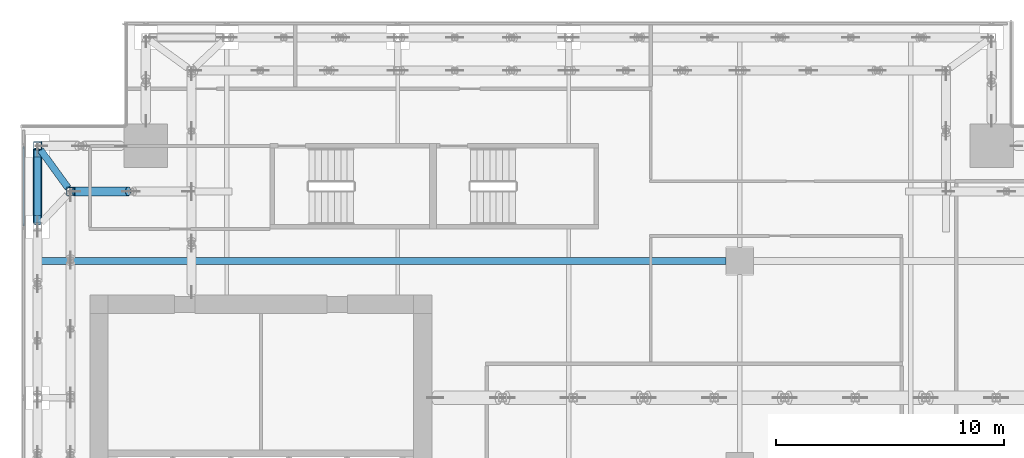
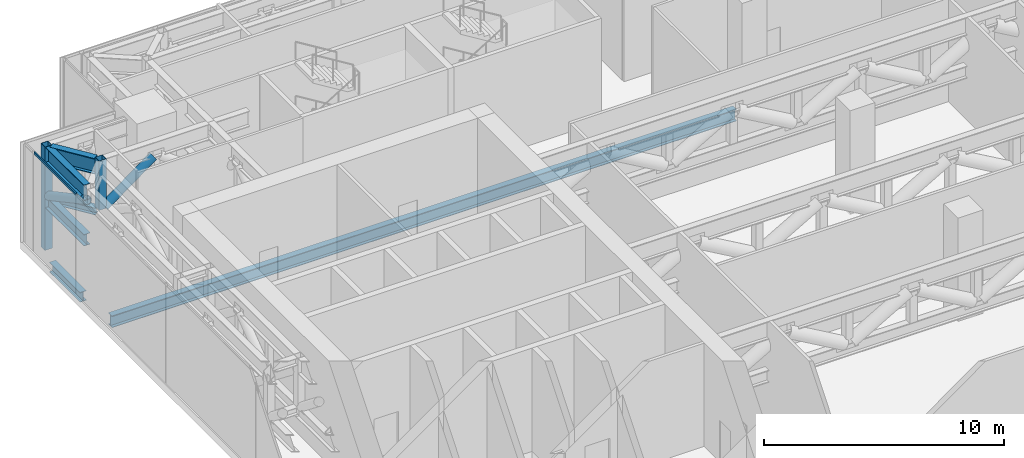
# One storey, part 18 of 36: 7 members, 4 beams, 1 element without a shape of its own.
"""IFC4 building model written with IfcOpenShell, lengths in metres."""

from ifc_helpers import new_model, si_unit, direction, frame, origin, origin_2d, place, context, subcontext, project, spatial, hollow_rectangle, hollow_circle, i_section, extrude, source, transform, mapped, material, material_profile, profile_set, type_object, element, aggregate, save


model = new_model("IFC4")

# Units and contexts
model_context = context("Model", 3, precision=1e-05, world=origin(), true_north=direction((0.0, 1.0)))
body_context = subcontext(model_context, "Body", "Model", "MODEL_VIEW")
ifc_project = project(units=[si_unit("LENGTHUNIT", "METRE"), si_unit("AREAUNIT", "SQUARE_METRE"), si_unit("VOLUMEUNIT", "CUBIC_METRE"), si_unit("PLANEANGLEUNIT", "RADIAN"), si_unit("MASSUNIT", "GRAM", prefix="KILO")], contexts=[model_context])

# Site, building, storey
site_placement = place(None, origin())
site = spatial("IfcSite", under=ifc_project, at=site_placement, CompositionType="ELEMENT")
building_placement = place(site_placement, origin())
building = spatial("IfcBuilding", under=site, at=building_placement, Name="Khomas Fold Tower", CompositionType="ELEMENT")
storey_placement = place(building_placement, frame((0.0, 0.0, 216.699951171875)))
storey = spatial("IfcBuildingStorey", under=building, at=storey_placement, Name="L48", CompositionType="ELEMENT", Elevation=216.699951171875)

# Beams
ifc_material_1 = material(Name="Steel S355", Category="steel")
ifc_material_profile_1 = material_profile(ifc_material_1, i_section(OverallWidth=0.300048828125, OverallDepth=0.5, WebThickness=0.014404296875, FlangeThickness=0.028076171875, at=origin_2d()), Name="HE 500 B")
ifc_profile_set_1 = profile_set([ifc_material_profile_1], Name="Steel S355")
beam_type_1 = type_object("IfcBeamType", Name="HE 500 B spandrel SB3", PredefinedType="SPANDREL", material=ifc_profile_set_1)
shared_shape_1 = source(origin(), body_context, "Body", "SweptSolid", [
    extrude(i_section(OverallWidth=0.300048828125, OverallDepth=0.5, WebThickness=0.014404296875, FlangeThickness=0.028076171875, at=origin_2d()), origin(), (0.0, 0.0, 1.0), 2.550048828125),
])
beam_1_placement = place(storey_placement, frame((3.699951171875, 42.5, -0.64990234375), z_axis=(0.0, 1.0, 0.0), x_axis=(-1.0, 0.0, 0.0)))
element("IfcBeam", 1, at=beam_1_placement, inside=storey, type_object=beam_type_1, Name="SB3", PredefinedType="SPANDREL", context=body_context, shape_type="MappedRepresentation", body=[
    mapped(shared_shape_1, transform((0.0, 0.0, 0.0))),
])
ifc_material_2 = material(Name="Steel S355", Category="steel")
ifc_material_profile_2 = material_profile(ifc_material_2, i_section(OverallWidth=0.300048828125, OverallDepth=0.60009765625, WebThickness=0.015380859375, FlangeThickness=0.030029296875, at=origin_2d()), Name="HE 600 B")
ifc_profile_set_2 = profile_set([ifc_material_profile_2], Name="Steel S355")
beam_type_2 = type_object("IfcBeamType", Name="HE 600 B beam GB5", PredefinedType="BEAM", material=ifc_profile_set_2)
shared_shape_2 = source(origin(), body_context, "Body", "SweptSolid", [
    extrude(i_section(OverallWidth=0.300048828125, OverallDepth=0.60009765625, WebThickness=0.015380859375, FlangeThickness=0.030029296875, at=origin_2d()), origin(), (0.0, 0.0, 1.0), 30.0498046875),
])
beam_2_placement = place(storey_placement, frame((3.85009765625, 40.5, -0.699951171875), z_axis=(1.0, 0.0, 0.0), x_axis=(0.0, 1.0, 0.0)))
element("IfcBeam", 2, at=beam_2_placement, inside=storey, type_object=beam_type_2, Name="GB5", PredefinedType="BEAM", context=body_context, shape_type="MappedRepresentation", body=[
    mapped(shared_shape_2, transform((0.0, 0.0, 0.0))),
])

# Members
ifc_material_3 = material(Name="Steel S355", Category="steel")
ifc_material_profile_3 = material_profile(ifc_material_3, i_section(OverallWidth=0.300048828125, OverallDepth=0.7900390625, WebThickness=0.014892578125, FlangeThickness=0.028076171875, at=origin_2d()), Name="HE 800 A")
ifc_profile_set_3 = profile_set([ifc_material_profile_3], Name="Steel S355")
member_type_1 = type_object("IfcMemberType", Name="BELT TRUSS 3 TOP CHORD SHORT HE 800 A", PredefinedType="CHORD", material=ifc_profile_set_3)
shared_shape_3 = source(origin(), body_context, "Body", "SweptSolid", [
    extrude(i_section(OverallWidth=0.300048828125, OverallDepth=0.7900390625, WebThickness=0.014892578125, FlangeThickness=0.028076171875, at=origin_2d()), origin(), (0.0, 0.0, 1.0), 3.199951171875),
])
member_1_placement = place(storey_placement, frame((3.699951171875, 45.375, 4.85498046875), z_axis=(0.0, -1.0, 0.0), x_axis=(1.0, 0.0, 0.0)))
element("IfcMember", 3, at=member_1_placement, inside=storey, type_object=member_type_1, Name="BT3-CTS", PredefinedType="CHORD", context=body_context, shape_type="MappedRepresentation", body=[
    mapped(shared_shape_3, transform((0.0, 0.0, 0.0))),
])
ifc_material_4 = material(Name="Steel S355", Category="steel")
ifc_material_profile_4 = material_profile(ifc_material_4, i_section(OverallWidth=0.300048828125, OverallDepth=0.590087890625, WebThickness=0.012939453125, FlangeThickness=0.02490234375, at=origin_2d()), Name="HE 600 A")
ifc_profile_set_4 = profile_set([ifc_material_profile_4], Name="Steel S355")
member_type_2 = type_object("IfcMemberType", Name="BELT TRUSS 3 BOTTOM CHORD SHORT HE 600 A", PredefinedType="CHORD", material=ifc_profile_set_4)
shared_shape_4 = source(origin(), body_context, "Body", "SweptSolid", [
    extrude(i_section(OverallWidth=0.300048828125, OverallDepth=0.590087890625, WebThickness=0.012939453125, FlangeThickness=0.02490234375, at=origin_2d()), origin(), (0.0, 0.0, 1.0), 3.199951171875),
])
member_2_placement = place(storey_placement, frame((3.699951171875, 45.375, 2.445068359375), z_axis=(0.0, -1.0, 0.0), x_axis=(1.0, 0.0, 0.0)))
element("IfcMember", 4, at=member_2_placement, inside=storey, type_object=member_type_2, Name="BT3-CBS", PredefinedType="CHORD", context=body_context, shape_type="MappedRepresentation", body=[
    mapped(shared_shape_4, transform((0.0, 0.0, 0.0))),
])
ifc_material_5 = material(Name="Steel S355", Category="steel")
ifc_material_profile_5 = material_profile(ifc_material_5, hollow_circle(Radius=0.203125, WallThickness=0.012451171875, at=origin_2d()), Name="CHS 406.4x12.5")
ifc_profile_set_5 = profile_set([ifc_material_profile_5], Name="Steel S355")
member_type_3 = type_object("IfcMemberType", Name="BELT TRUSS 3 DIAGONAL LONG CHS 406.4x12.5", PredefinedType="BRACE", material=ifc_profile_set_5)
shared_shape_5 = source(origin(), body_context, "Body", "SweptSolid", [
    extrude(hollow_circle(Radius=0.203125, WallThickness=0.012451171875, at=origin_2d()), origin(), (0.0, 0.0, 1.0), 3.6376953125),
])
member_3_placement = place(storey_placement, frame((3.699951171875, 45.375, 2.735107421875), z_axis=(0.0, -0.879674642469, 0.475575991191), x_axis=(1.0, 0.0, 0.0)))
element("IfcMember", 5, at=member_3_placement, inside=storey, type_object=member_type_3, Name="BT3-DL", PredefinedType="BRACE", context=body_context, shape_type="MappedRepresentation", body=[
    mapped(shared_shape_5, transform((0.0, 0.0, 0.0))),
])
ifc_material_6 = material(Name="Steel S355", Category="steel")
ifc_material_profile_6 = material_profile(ifc_material_6, hollow_circle(Radius=0.203125, WallThickness=0.012451171875, at=origin_2d()), Name="CHS 406.4x12.5")
ifc_profile_set_6 = profile_set([ifc_material_profile_6], Name="Steel S355")
member_type_4 = type_object("IfcMemberType", Name="BELT TRUSS 3 DIAGONAL CHS 406.4x12.5", PredefinedType="BRACE", material=ifc_profile_set_6)
shared_shape_6 = source(origin(), body_context, "Body", "SweptSolid", [
    extrude(hollow_circle(Radius=0.203125, WallThickness=0.012451171875, at=origin_2d()), origin(), (0.0, 0.0, 1.0), 2.918212890625),
])
member_4_placement = place(storey_placement, frame((5.324951171875, 43.550048828125, 2.735107421875), z_axis=(0.805329117391, 0.0, 0.592827978998), x_axis=(0.0, 1.0, 0.0)))
element("IfcMember", 6, at=member_4_placement, inside=storey, type_object=member_type_4, Name="BT3-D", PredefinedType="BRACE", context=body_context, shape_type="MappedRepresentation", body=[
    mapped(shared_shape_6, transform((0.0, 0.0, 0.0))),
])
ifc_material_7 = material(Name="Steel S355", Category="steel")
ifc_material_profile_7 = material_profile(ifc_material_7, hollow_rectangle(XDim=0.35009765625, YDim=0.35009765625, WallThickness=0.01611328125, at=origin_2d()), Name="SHS 350x350x16")
ifc_profile_set_7 = profile_set([ifc_material_profile_7], Name="Steel S355")
member_type_5 = type_object("IfcMemberType", Name="BELT TRUSS 3 COLUMN POST SHS 350x350x16", PredefinedType="POST", material=ifc_profile_set_7)
shared_shape_7 = source(origin(), body_context, "Body", "SweptSolid", [
    extrude(hollow_rectangle(XDim=0.35009765625, YDim=0.35009765625, WallThickness=0.01611328125, at=origin_2d()), origin(), (0.0, 0.0, 1.0), 5.25),
])
member_5_placement = place(storey_placement, frame((3.699951171875, 45.550048828125, 0.0), z_axis=(0.0, 0.0, 1.0), x_axis=(1.0, 0.0, 0.0)))
element("IfcMember", 7, at=member_5_placement, inside=storey, type_object=member_type_5, Name="BT3-P", PredefinedType="POST", context=body_context, shape_type="MappedRepresentation", body=[
    mapped(shared_shape_7, transform((0.0, 0.0, 0.0))),
])
ifc_material_8 = material(Name="Steel S355", Category="steel")
ifc_material_profile_8 = material_profile(ifc_material_8, hollow_rectangle(XDim=0.35009765625, YDim=0.35009765625, WallThickness=0.01611328125, at=origin_2d()), Name="SHS 350x350x16")
ifc_profile_set_8 = profile_set([ifc_material_profile_8], Name="Steel S355")
member_type_6 = type_object("IfcMemberType", Name="BELT TRUSS 3 COLUMN POST SHORT SHS 350x350x16", PredefinedType="POST", material=ifc_profile_set_8)
shared_shape_8 = source(origin(), body_context, "Body", "SweptSolid", [
    extrude(hollow_rectangle(XDim=0.35009765625, YDim=0.35009765625, WallThickness=0.01611328125, at=origin_2d()), origin(), (0.0, 0.0, 1.0), 2.510009765625),
])
member_6_placement = place(storey_placement, frame((5.14990234375, 43.550048828125, 2.739990234375), z_axis=(0.0, 0.0, 1.0), x_axis=(1.0, 0.0, 0.0)))
element("IfcMember", 8, at=member_6_placement, inside=storey, type_object=member_type_6, Name="BT3-PS", PredefinedType="POST", context=body_context, shape_type="MappedRepresentation", body=[
    mapped(shared_shape_8, transform((0.0, 0.0, 0.0))),
])

# Beams
ifc_material_9 = material(Name="Steel S460M", Category="steel")
ifc_material_profile_9 = material_profile(ifc_material_9, i_section(OverallWidth=0.300048828125, OverallDepth=0.800048828125, WebThickness=0.017578125, FlangeThickness=0.032958984375, at=origin_2d()), Name="HE 800 B")
ifc_profile_set_9 = profile_set([ifc_material_profile_9], Name="Steel S460M")
beam_type_3 = type_object("IfcBeamType", Name="BELT TRUSS 3 TOP TRANSFER STRUT HE 800 B", PredefinedType="BEAM", material=ifc_profile_set_9)
shared_shape_9 = source(origin(), body_context, "Body", "SweptSolid", [
    extrude(i_section(OverallWidth=0.300048828125, OverallDepth=0.800048828125, WebThickness=0.017578125, FlangeThickness=0.032958984375, at=origin_2d()), origin(), (0.0, 0.0, 1.0), 2.037841796875),
])
beam_3_placement = place(storey_placement, frame((5.023193359375, 43.72509765625, 4.85009765625), z_axis=(-0.58700290621, 0.809584824525, 0.0), x_axis=(-0.809584824525, -0.58700290621, 0.0)))
element("IfcBeam", 9, at=beam_3_placement, inside=storey, type_object=beam_type_3, Name="BT3-STD", PredefinedType="BEAM", context=body_context, shape_type="MappedRepresentation", body=[
    mapped(shared_shape_9, transform((0.0, 0.0, 0.0))),
])
ifc_material_10 = material(Name="Steel S355", Category="steel")
ifc_material_profile_10 = material_profile(ifc_material_10, i_section(OverallWidth=0.300048828125, OverallDepth=0.360107421875, WebThickness=0.012451171875, FlangeThickness=0.0224609375, at=origin_2d()), Name="HE 360 B")
ifc_profile_set_10 = profile_set([ifc_material_profile_10], Name="Steel S355")
beam_type_4 = type_object("IfcBeamType", Name="BELT TRUSS 3 BOTTOM STRUT LONG HE 360 B", PredefinedType="BEAM", material=ifc_profile_set_10)
shared_shape_10 = source(origin(), body_context, "Body", "SweptSolid", [
    extrude(i_section(OverallWidth=0.300048828125, OverallDepth=0.360107421875, WebThickness=0.012451171875, FlangeThickness=0.0224609375, at=origin_2d()), origin(), (0.0, 0.0, 1.0), 2.06884765625),
])
beam_4_placement = place(storey_placement, frame((5.041259765625, 43.699951171875, 2.56005859375), z_axis=(-0.586950168083, 0.809623060558, 0.0), x_axis=(-0.809623060558, -0.586950168083, 0.0)))
element("IfcBeam", 10, at=beam_4_placement, inside=storey, type_object=beam_type_4, Name="BT3-SBL", PredefinedType="BEAM", context=body_context, shape_type="MappedRepresentation", body=[
    mapped(shared_shape_10, transform((0.0, 0.0, 0.0))),
])

# Curtain wall, member
ifc_material_11 = material(Name="Aluminium framed double glazing", Category="aluminium")
curtain_wall_type = type_object("IfcCurtainWallType", Name="SK-Plant louvre wall CW4", PredefinedType="NOTDEFINED", material=ifc_material_11)
curtain_wall_placement = place(storey_placement, origin())
curtain_wall = element("IfcCurtainWall", 11, at=curtain_wall_placement, inside=storey, type_object=curtain_wall_type, Name="CW4 run L48 09-0", PredefinedType="NOTDEFINED")
ifc_material_12 = material(Name="Aluminium", Category="aluminium")
ifc_material_profile_11 = material_profile(ifc_material_12, hollow_rectangle(XDim=0.06005859375, YDim=0.1201171875, WallThickness=0.00390625, at=origin_2d()), Name="SK-Plant louvre wall transom CW4-T")
ifc_profile_set_11 = profile_set([ifc_material_profile_11], Name="Aluminium")
member_type_7 = type_object("IfcMemberType", Name="SK-Plant louvre wall transom CW4-T", PredefinedType="USERDEFINED", material=ifc_profile_set_11)
shared_shape_11 = source(origin(), body_context, "Body", "SweptSolid", [
    extrude(hollow_rectangle(XDim=0.06005859375, YDim=0.1201171875, WallThickness=0.00390625, at=origin_2d()), origin(), (0.0, 0.0, 1.0), 3.489990234375),
])
member_7_placement = place(storey_placement, frame((3.10009765625, 45.52001953125, 5.0400390625), z_axis=(0.0, -1.0, 0.0), x_axis=(1.0, 0.0, 0.0)))
member_7 = element("IfcMember", 12, at=member_7_placement, type_object=member_type_7, Name="CW4 transom 2", ObjectType="TRANSOM", PredefinedType="USERDEFINED", context=body_context, shape_type="MappedRepresentation", body=[
    mapped(shared_shape_11, transform((0.0, 0.0, 0.0))),
])
aggregate(curtain_wall, [member_7])

save(model, "model.ifc")
